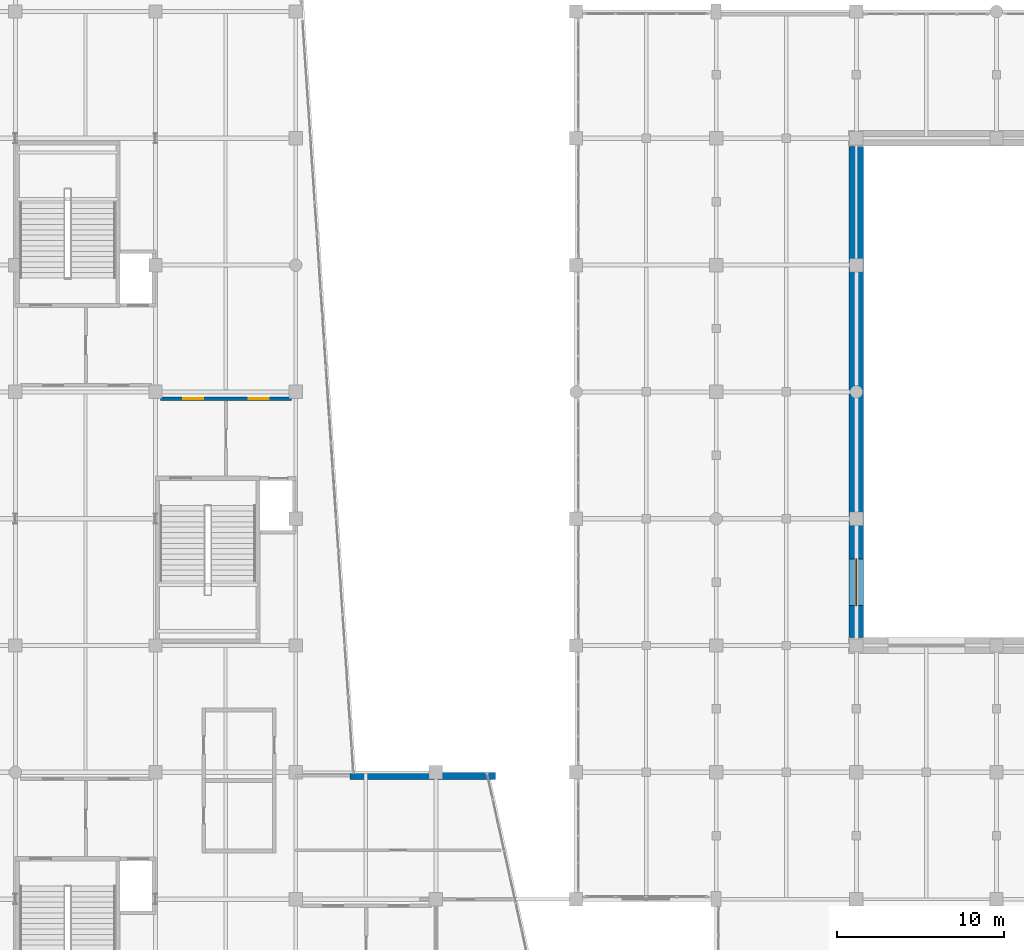
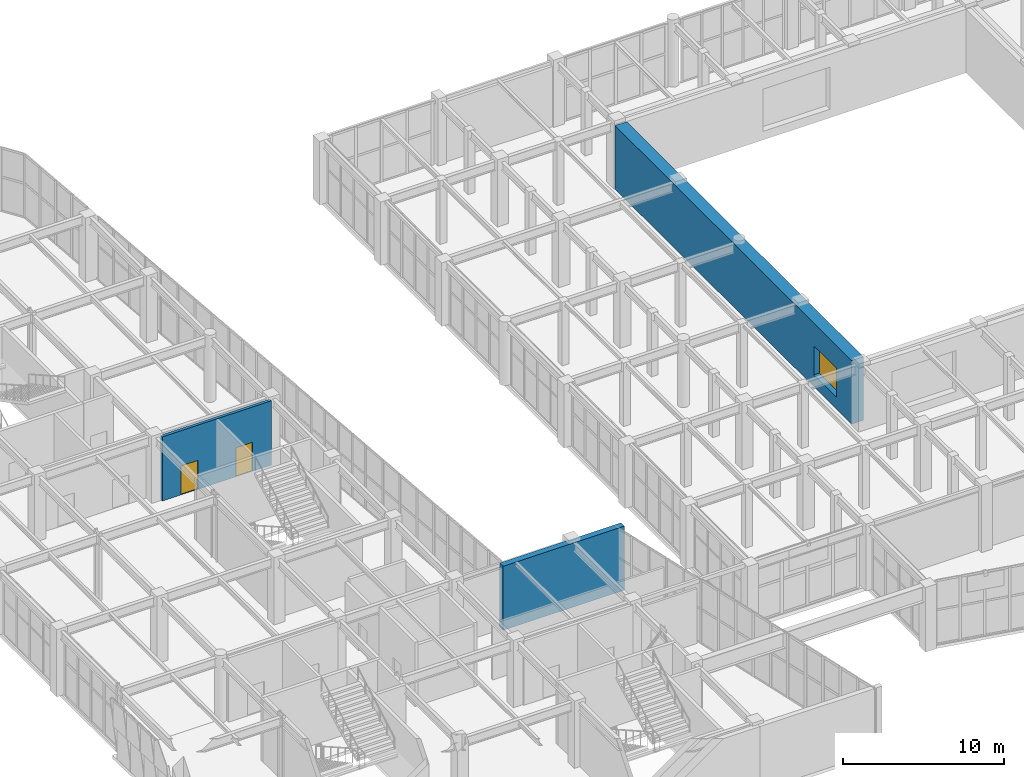
# One storey, part 112 of 128: 3 walls, 2 doors, 1 window, 3 openings.
"""IFC4 building model written with IfcOpenShell, lengths in metres."""

from ifc_helpers import new_model, si_unit, direction, frame, frame_2d, origin, place, context, subcontext, project, spatial, rectangle, extrude, material, layer, layer_set, type_object, element, fill, save


model = new_model("IFC4")

# Units and contexts
model_context = context("Model", 3, precision=1e-05, world=origin(), true_north=direction((0.0, 1.0)))
body_context = subcontext(model_context, "Body", "Model", "MODEL_VIEW")
ifc_project = project(units=[si_unit("LENGTHUNIT", "METRE"), si_unit("AREAUNIT", "SQUARE_METRE"), si_unit("VOLUMEUNIT", "CUBIC_METRE"), si_unit("PLANEANGLEUNIT", "RADIAN"), si_unit("MASSUNIT", "GRAM", prefix="KILO")], contexts=[model_context])

# Site, building, storey
site_placement = place(None, origin())
site = spatial("IfcSite", under=ifc_project, at=site_placement, CompositionType="ELEMENT")
building_placement = place(site_placement, origin())
building = spatial("IfcBuilding", under=site, at=building_placement, Name="Xicomal Pleat Aquarium", CompositionType="ELEMENT")
storey_placement = place(building_placement, frame((0.0, 0.0, 5.39990234375)))
storey = spatial("IfcBuildingStorey", under=building, at=storey_placement, Name="L02", CompositionType="ELEMENT", Elevation=5.39990234375)

# Wall
ifc_material_1 = material(Name="Volcanic basalt recinto masonry and concrete C40/50", Category="masonry")
ifc_layer_1 = layer(ifc_material_1, 0.419921875)
ifc_layer_set_1 = layer_set([ifc_layer_1], Name="Volcanic basalt recinto masonry and concrete C40/50")
wall_type_1 = type_object("IfcWallType", Name="WAL-EXT-BAS-420", PredefinedType="SOLIDWALL", material=ifc_layer_set_1)
wall_1_placement = place(storey_placement, frame((30.239990234375, 37.7900390625, 0.0), z_axis=(0.0, 0.0, 1.0), x_axis=(1.0, 0.0, 0.0)))
element("IfcWall", 1, at=wall_1_placement, inside=storey, type_object=wall_type_1, Name="L02 exterior basalt-precast wall EW-L02-090", PredefinedType="SOLIDWALL", context=body_context, shape_type="SweptSolid", body=[
    extrude(rectangle(XDim=8.719970703125, YDim=0.419921875, at=frame_2d((4.35986328125, 0.0))), origin(), (0.0, 0.0, 1.0), 4.860107421875),
])

# Wall, openings, doors
ifc_material_2 = material(Name="Fire-rated gypsum and mineral-wool partition", Category="gypsum")
ifc_layer_2 = layer(ifc_material_2, 0.2099609375)
ifc_layer_set_2 = layer_set([ifc_layer_2], Name="Fire-rated gypsum and mineral-wool partition")
wall_type_2 = type_object("IfcWallType", Name="WAL-PRT-210", PredefinedType="PARTITIONING", material=ifc_layer_set_2)
wall_2_placement = place(storey_placement, frame((18.89990234375, 60.39990234375, 0.0), z_axis=(0.0, 0.0, 1.0), x_axis=(1.0, 0.0, 0.0)))
wall_2 = element("IfcWall", 2, at=wall_2_placement, inside=storey, type_object=wall_type_2, Name="L02 CORE-4 lobby fire enclosure wall", PredefinedType="PARTITIONING", context=body_context, shape_type="SweptSolid", body=[
    extrude(rectangle(XDim=7.85009765625, YDim=0.2099609375, at=frame_2d((3.925048828125, 0.0))), origin(), (0.0, 0.0, 1.0), 4.875),
])
opening_1_placement = place(wall_2_placement, frame((1.362060546875, 0.0, 0.0)))
opening_1 = element("IfcOpeningElement", 3, at=opening_1_placement, cuts=wall_2, Name="Opening FD-04A-L02", PredefinedType="OPENING", context=body_context, shape_type="SweptSolid", body=[
    extrude(rectangle(XDim=1.199951171875, YDim=2.199951171875, at=frame_2d((0.60009765625, 1.10009765625))), frame((0.0, 0.114990234375, 0.0), z_axis=(0.0, -1.0, 0.0), x_axis=(1.0, 0.0, 0.0)), (0.0, 0.0, 1.0), 0.22998046875),
])
opening_2_placement = place(wall_2_placement, frame((5.287109375, 0.0, 0.0)))
opening_2 = element("IfcOpeningElement", 4, at=opening_2_placement, cuts=wall_2, Name="Opening FD-04B-L02", PredefinedType="OPENING", context=body_context, shape_type="SweptSolid", body=[
    extrude(rectangle(XDim=1.199951171875, YDim=2.199951171875, at=frame_2d((0.60009765625, 1.10009765625))), frame((0.0, 0.114990234375, 0.0), z_axis=(0.0, -1.0, 0.0), x_axis=(1.0, 0.0, 0.0)), (0.0, 0.0, 1.0), 0.22998046875),
])
ifc_material_3 = material(Name="Powder-coated steel fire door", Category="steel")
door_type = type_object("IfcDoorType", Name="DOR-FFL-1200x2200", OperationType="NOTDEFINED", PredefinedType="DOOR", material=ifc_material_3)
door_1_placement = place(opening_1_placement, origin())
door_1 = element("IfcDoor", 5, at=door_1_placement, inside=storey, type_object=door_type, Name="L02 firefighting lobby door 4A", OperationType="SINGLE_SWING_LEFT", OverallHeight=2.199951171875, OverallWidth=1.199951171875, PredefinedType="DOOR", context=body_context, shape_type="SweptSolid", body=[
    extrude(rectangle(XDim=1.199951171875, YDim=2.199951171875, at=frame_2d((0.60009765625, 1.10009765625))), frame((0.0, 0.02490234375, 0.0), z_axis=(0.0, -1.0, 0.0), x_axis=(1.0, 0.0, 0.0)), (0.0, 0.0, 1.0), 0.050048828125),
])
fill(opening_1, door_1)
door_2_placement = place(opening_2_placement, origin())
door_2 = element("IfcDoor", 6, at=door_2_placement, inside=storey, type_object=door_type, Name="L02 lift lobby door 4B", OperationType="SINGLE_SWING_RIGHT", OverallHeight=2.199951171875, OverallWidth=1.199951171875, PredefinedType="DOOR", context=body_context, shape_type="SweptSolid", body=[
    extrude(rectangle(XDim=1.199951171875, YDim=2.199951171875, at=frame_2d((0.60009765625, 1.10009765625))), frame((0.0, 0.02490234375, 0.0), z_axis=(0.0, -1.0, 0.0), x_axis=(1.0, 0.0, 0.0)), (0.0, 0.0, 1.0), 0.050048828125),
])
fill(opening_2, door_2)

# Wall, opening, window
ifc_material_4 = material(Name="Concrete C45/55", Category="concrete")
ifc_layer_3 = layer(ifc_material_4, 0.85009765625)
ifc_layer_set_3 = layer_set([ifc_layer_3], Name="Concrete C45/55")
wall_type_3 = type_object("IfcWallType", Name="WAL-TANK-850", PredefinedType="SHEAR", material=ifc_layer_set_3)
wall_3_placement = place(storey_placement, frame((60.60009765625, 46.094970703125, 0.0), z_axis=(0.0, 0.0, 1.0), x_axis=(0.0, 1.0, 0.0)))
wall_3 = element("IfcWall", 7, at=wall_3_placement, inside=storey, type_object=wall_type_3, Name="Main ocean tank hydrostatic wall TW-L02-W", PredefinedType="SHEAR", context=body_context, shape_type="SweptSolid", body=[
    extrude(rectangle(XDim=29.409912109375, YDim=0.85009765625, at=frame_2d((14.705078125, 0.0))), origin(), (0.0, 0.0, 1.0), 4.820068359375),
])
opening_3_placement = place(wall_3_placement, frame((1.89990234375, 0.0, 0.89990234375)))
opening_3 = element("IfcOpeningElement", 8, at=opening_3_placement, cuts=wall_3, Name="Opening AW-06", PredefinedType="OPENING", context=body_context, shape_type="SweptSolid", body=[
    extrude(rectangle(XDim=2.800048828125, YDim=2.199951171875, at=frame_2d((1.39990234375, 1.10009765625))), frame((0.0, 0.43505859375, 0.0), z_axis=(0.0, -1.0, 0.0), x_axis=(1.0, 0.0, 0.0)), (0.0, 0.0, 1.0), 0.8701171875),
])
ifc_material_5 = material(Name="Cast PMMA acrylic viewing glazing", Category="glass")
window_type = type_object("IfcWindowType", Name="WIN-PMMA-2800x2200", PartitioningType="SINGLE_PANEL", PredefinedType="WINDOW", material=ifc_material_5)
window_placement = place(opening_3_placement, origin())
window = element("IfcWindow", 9, at=window_placement, inside=storey, type_object=window_type, Name="L02 cast PMMA acrylic ocean tank window AW-L02-W1", OverallHeight=2.199951171875, OverallWidth=2.800048828125, PartitioningType="SINGLE_PANEL", PredefinedType="WINDOW", context=body_context, shape_type="SweptSolid", body=[
    extrude(rectangle(XDim=2.800048828125, YDim=2.199951171875, at=frame_2d((1.39990234375, 1.10009765625))), frame((0.0, 0.030029296875, 0.0), z_axis=(0.0, -1.0, 0.0), x_axis=(1.0, 0.0, 0.0)), (0.0, 0.0, 1.0), 0.06005859375),
])
fill(opening_3, window)

save(model, "model.ifc")
